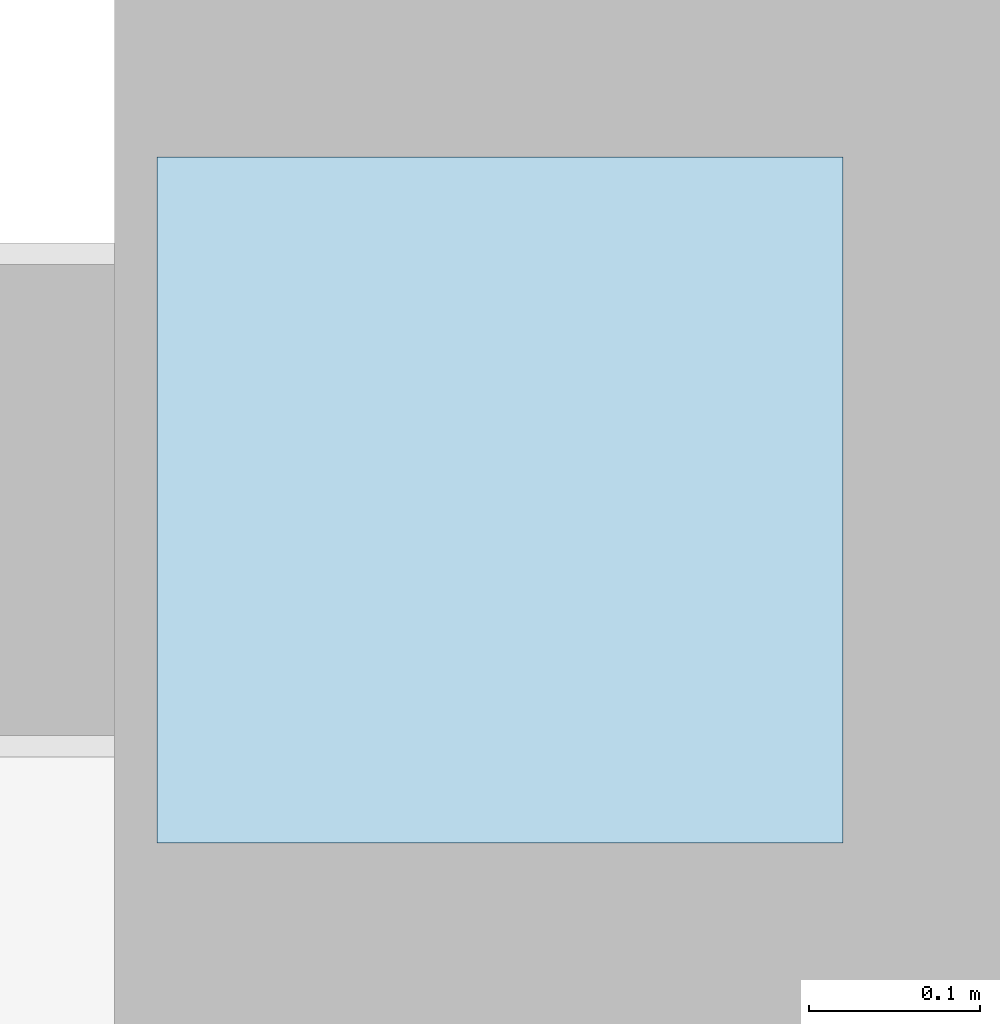
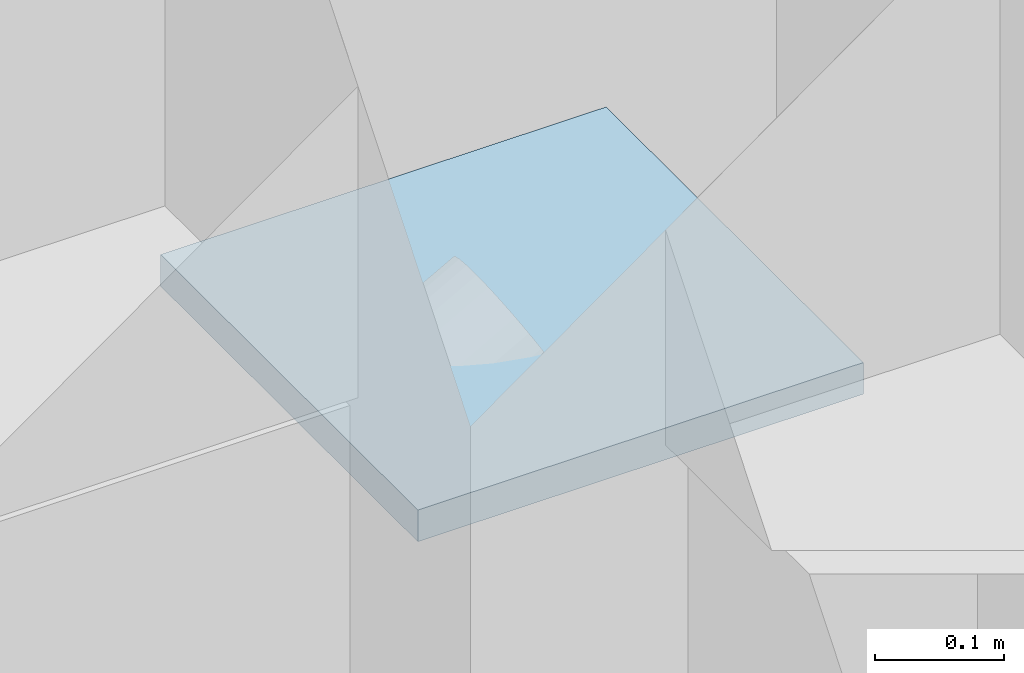
# One storey, part 53 of 67: 1 plate.
"""IFC4 building model written with IfcOpenShell, lengths in metres."""

from ifc_helpers import new_model, si_unit, direction, frame, origin, origin_2d, place, context, subcontext, project, spatial, rectangle, extrude, material, layer, layer_set, type_object, element, save


model = new_model("IFC4")

# Units and contexts
model_context = context("Model", 3, precision=1e-05, world=origin(), true_north=direction((0.0, 1.0)))
body_context = subcontext(model_context, "Body", "Model", "MODEL_VIEW")
ifc_project = project(units=[si_unit("LENGTHUNIT", "METRE"), si_unit("AREAUNIT", "SQUARE_METRE"), si_unit("VOLUMEUNIT", "CUBIC_METRE"), si_unit("PLANEANGLEUNIT", "RADIAN"), si_unit("MASSUNIT", "GRAM", prefix="KILO")], contexts=[model_context])

# Site, building, storey
site_placement = place(None, origin())
site = spatial("IfcSite", under=ifc_project, at=site_placement, CompositionType="ELEMENT")
building_placement = place(site_placement, origin())
building = spatial("IfcBuilding", under=site, at=building_placement, Name="Kharisveld Research Institute", CompositionType="ELEMENT")
storey_placement = place(building_placement, frame((0.0, 0.0, 9.60009765625)))
storey = spatial("IfcBuildingStorey", under=building, at=storey_placement, Name="L02", CompositionType="ELEMENT", Elevation=9.60009765625)

# Plate
ifc_material = material(Name="Steel S355JR", Category="steel")
ifc_layer = layer(ifc_material, 0.030029296875)
ifc_layer_set = layer_set([ifc_layer], Name="PL_CAP_E")
plate_type = type_object("IfcPlateType", Name="PL_CAP_E", PredefinedType="SHEET", material=ifc_layer_set)
plate_placement = place(storey_placement, frame((160.699951171875, 60.800048828125, 3.73486328125), z_axis=(0.0, 0.0, 1.0), x_axis=(1.0, 0.0, 0.0)))
element("IfcPlate", 1, at=plate_placement, inside=storey, type_object=plate_type, Name="PLT:V2:L02:CAP_6_3", PredefinedType="SHEET", context=body_context, shape_type="SweptSolid", body=[
    extrude(rectangle(XDim=0.39990234375, YDim=0.39990234375, at=origin_2d()), origin(), (0.0, 0.0, 1.0), 0.030029296875),
])

save(model, "model.ifc")
